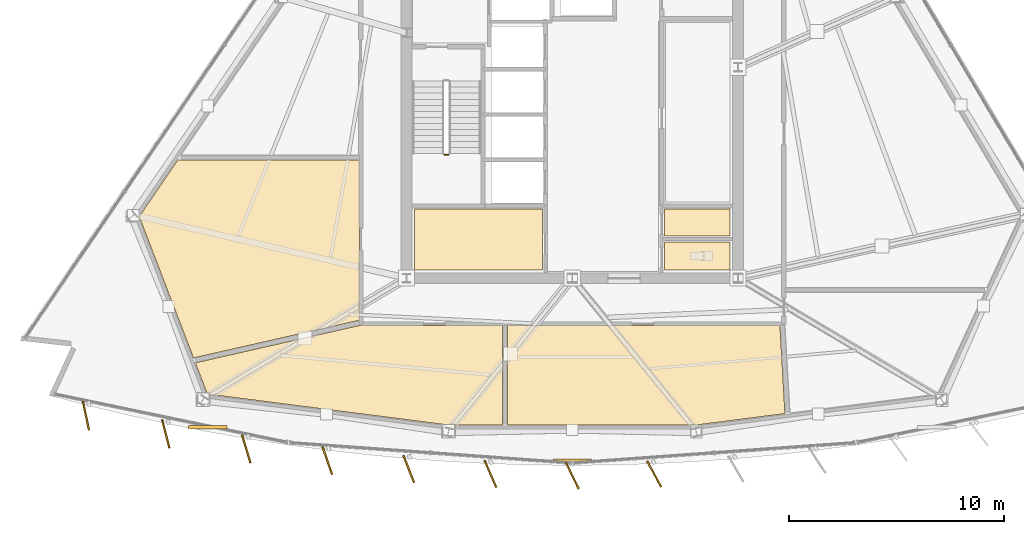
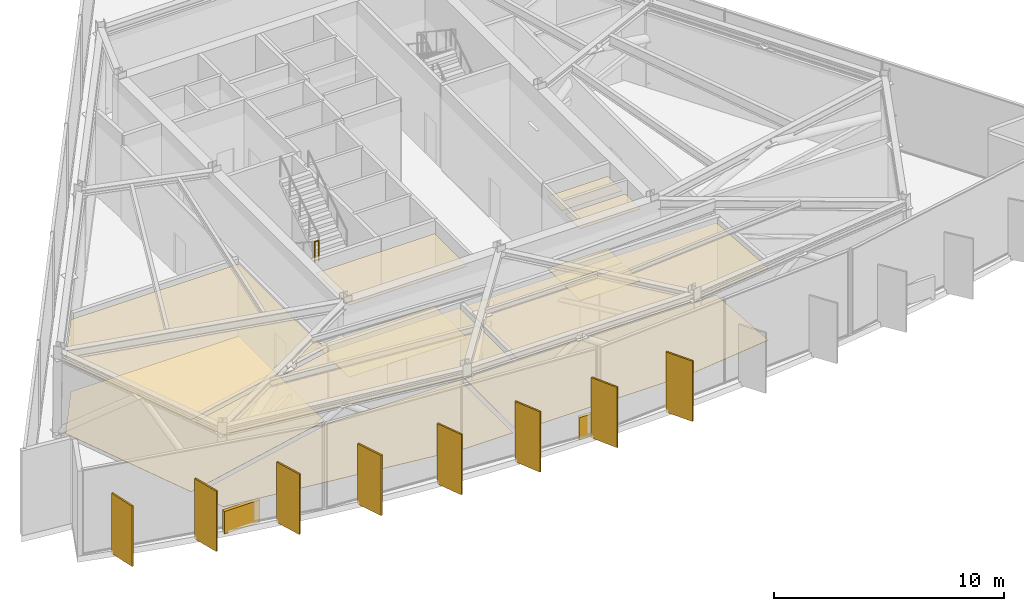
# One storey, part 11 of 14: 12 coverings, 10 shading devices, 1 railing.
"""IFC4 building model written with IfcOpenShell, lengths in metres."""

from ifc_helpers import new_model, si_unit, direction, frame, origin, origin_2d, place, context, subcontext, project, spatial, polyline, rectangle, circle, outline, extrude, material, layer, layer_set, type_object, element, save


model = new_model("IFC4")

# Units and contexts
model_context = context("Model", 3, precision=1e-05, world=origin(), true_north=direction((0.0, 1.0)))
body_context = subcontext(model_context, "Body", "Model", "MODEL_VIEW")
ifc_project = project(units=[si_unit("LENGTHUNIT", "METRE"), si_unit("AREAUNIT", "SQUARE_METRE"), si_unit("VOLUMEUNIT", "CUBIC_METRE"), si_unit("PLANEANGLEUNIT", "RADIAN"), si_unit("MASSUNIT", "GRAM", prefix="KILO")], contexts=[model_context])

# Site, building, storey
site_placement = place(None, origin())
site = spatial("IfcSite", under=ifc_project, at=site_placement, CompositionType="ELEMENT")
building_placement = place(site_placement, origin())
building = spatial("IfcBuilding", under=site, at=building_placement, Name="Savorim Split Tower", CompositionType="ELEMENT")
storey_placement = place(building_placement, frame((0.0, 0.0, 185.39990234375)))
storey = spatial("IfcBuildingStorey", under=building, at=storey_placement, Name="L49", CompositionType="ELEMENT", Elevation=185.39990234375)

# Coverings
ifc_material_1 = material(Name="Mineral Fibre Acoustic Ceiling")
ifc_layer_1 = layer(ifc_material_1, 0.02490234375)
ifc_layer_set_1 = layer_set([ifc_layer_1], Name="COV-CEIL-25")
covering_type_1 = type_object("IfcCoveringType", Name="COV-CEIL-25", PredefinedType="CEILING", material=ifc_layer_set_1)
covering_1_placement = place(storey_placement, frame((0.0, 0.0, 3.820068359375)))
element("IfcCovering", 1, at=covering_1_placement, inside=storey, type_object=covering_type_1, Name="L49 Pressurisation Plant Room Acoustic Ceiling", PredefinedType="CEILING", context=body_context, shape_type="SweptSolid", body=[
    extrude(outline(polyline([(-7.320068359375, -6.179931640625), (-7.320068359375, -9.02001953125), (-1.3798828125, -9.02001953125), (-1.3798828125, -6.179931640625), (-7.320068359375, -6.179931640625)])), origin(), (0.0, 0.0, 1.0), 0.025146484375),
])
covering_2_placement = place(storey_placement, frame((0.0, 0.0, 3.820068359375)))
element("IfcCovering", 2, at=covering_2_placement, inside=storey, type_object=covering_type_1, Name="L49 Accessible WC Acoustic Ceiling", PredefinedType="CEILING", context=body_context, shape_type="SweptSolid", body=[
    extrude(outline(polyline([(4.280029296875, -7.719970703125), (4.280029296875, -9.02001953125), (7.320068359375, -9.02001953125), (7.320068359375, -7.719970703125), (4.280029296875, -7.719970703125)])), origin(), (0.0, 0.0, 1.0), 0.025146484375),
])
covering_3_placement = place(storey_placement, frame((0.0, 0.0, 3.820068359375)))
element("IfcCovering", 3, at=covering_3_placement, inside=storey, type_object=covering_type_1, Name="L49 Emergency BMS Plant Room Acoustic Ceiling", PredefinedType="CEILING", context=body_context, shape_type="SweptSolid", body=[
    extrude(outline(polyline([(4.280029296875, -6.179931640625), (4.280029296875, -7.43994140625), (7.320068359375, -7.43994140625), (7.320068359375, -6.179931640625), (4.280029296875, -6.179931640625)])), origin(), (0.0, 0.0, 1.0), 0.025146484375),
])
covering_4_placement = place(storey_placement, frame((0.0, 0.0, 3.820068359375)))
element("IfcCovering", 4, at=covering_4_placement, inside=storey, type_object=covering_type_1, Name="L49 Refuge Area West Acoustic Ceiling", PredefinedType="CEILING", context=body_context, shape_type="SweptSolid", body=[
    extrude(outline(polyline([(-18.3046875, -3.9130859375), (-18.3046875, -3.880615234375), (-20.116455078125, -6.543701171875), (-17.595947265625, -13.107421875), (-9.913818359375, -11.3603515625), (-9.889892578125, -11.35498046875), (-9.889892578125, -3.9130859375), (-18.184814453125, -3.9130859375), (-18.3046875, -3.9130859375)])), origin(), (0.0, 0.0, 1.0), 0.025146484375),
])
covering_5_placement = place(storey_placement, frame((0.0, 0.0, 3.820068359375)))
element("IfcCovering", 5, at=covering_5_placement, inside=storey, type_object=covering_type_1, Name="L49 Chiller Plant Room 1 Acoustic Ceiling", PredefinedType="CEILING", context=body_context, shape_type="SweptSolid", body=[
    extrude(outline(polyline([(-17.509033203125, -13.333740234375), (-16.951904296875, -14.784423828125), (-5.731201171875, -16.22509765625), (-3.24755859375, -16.22509765625), (-3.24755859375, -11.590087890625), (-9.75, -11.590087890625), (-9.763671875, -11.58935546875), (-9.77734375, -11.58740234375), (-9.79052734375, -11.583984375), (-9.800048828125, -11.58056640625), (-17.4765625, -13.326416015625), (-17.509033203125, -13.333740234375)])), origin(), (0.0, 0.0, 1.0), 0.025146484375),
])
covering_6_placement = place(storey_placement, frame((0.0, 0.0, 3.820068359375)))
element("IfcCovering", 6, at=covering_6_placement, inside=storey, type_object=covering_type_1, Name="L49 Refuge Area North-West Acoustic Ceiling", PredefinedType="CEILING", context=body_context, shape_type="SweptSolid", body=[
    extrude(outline(polyline([(-3.007568359375, -16.175048828125), (-3.007568359375, -16.22509765625), (5.731201171875, -16.22509765625), (9.877685546875, -15.692626953125), (9.643798828125, -11.595703125), (9.6435546875, -11.590087890625), (-3.007568359375, -11.590087890625), (-3.007568359375, -16.175048828125)])), origin(), (0.0, 0.0, 1.0), 0.025146484375),
])
ifc_material_2 = material(Name="Porcelain Stoneware Flooring", Category="masonry")
ifc_layer_2 = layer(ifc_material_2, 0.02001953125)
ifc_layer_set_2 = layer_set([ifc_layer_2], Name="COV-FLOR-20")
covering_type_2 = type_object("IfcCoveringType", Name="COV-FLOR-20", PredefinedType="FLOORING", material=ifc_layer_set_2)
covering_7_placement = place(storey_placement, origin())
element("IfcCovering", 7, at=covering_7_placement, inside=storey, type_object=covering_type_2, Name="L49 Pressurisation Plant Room Porcelain Flooring", PredefinedType="FLOORING", context=body_context, shape_type="SweptSolid", body=[
    extrude(outline(polyline([(-7.320068359375, -6.179931640625), (-7.320068359375, -9.02001953125), (-1.3798828125, -9.02001953125), (-1.3798828125, -6.179931640625), (-7.320068359375, -6.179931640625)])), origin(), (0.0, 0.0, 1.0), 0.02001953125),
])
covering_8_placement = place(storey_placement, origin())
element("IfcCovering", 8, at=covering_8_placement, inside=storey, type_object=covering_type_2, Name="L49 Accessible WC Porcelain Flooring", PredefinedType="FLOORING", context=body_context, shape_type="SweptSolid", body=[
    extrude(outline(polyline([(4.280029296875, -7.719970703125), (4.280029296875, -9.02001953125), (7.320068359375, -9.02001953125), (7.320068359375, -7.719970703125), (4.280029296875, -7.719970703125)])), origin(), (0.0, 0.0, 1.0), 0.02001953125),
])
covering_9_placement = place(storey_placement, origin())
element("IfcCovering", 9, at=covering_9_placement, inside=storey, type_object=covering_type_2, Name="L49 Emergency BMS Plant Room Porcelain Flooring", PredefinedType="FLOORING", context=body_context, shape_type="SweptSolid", body=[
    extrude(outline(polyline([(4.280029296875, -6.179931640625), (4.280029296875, -7.43994140625), (7.320068359375, -7.43994140625), (7.320068359375, -6.179931640625), (4.280029296875, -6.179931640625)])), origin(), (0.0, 0.0, 1.0), 0.02001953125),
])
covering_10_placement = place(storey_placement, origin())
element("IfcCovering", 10, at=covering_10_placement, inside=storey, type_object=covering_type_2, Name="L49 Refuge Area West Porcelain Flooring", PredefinedType="FLOORING", context=body_context, shape_type="SweptSolid", body=[
    extrude(outline(polyline([(-18.3046875, -3.9130859375), (-18.3046875, -3.880615234375), (-20.116455078125, -6.543701171875), (-17.595947265625, -13.107421875), (-9.913818359375, -11.3603515625), (-9.889892578125, -11.35498046875), (-9.889892578125, -3.9130859375), (-18.184814453125, -3.9130859375), (-18.3046875, -3.9130859375)])), origin(), (0.0, 0.0, 1.0), 0.02001953125),
])
covering_11_placement = place(storey_placement, origin())
element("IfcCovering", 11, at=covering_11_placement, inside=storey, type_object=covering_type_2, Name="L49 Chiller Plant Room 1 Porcelain Flooring", PredefinedType="FLOORING", context=body_context, shape_type="SweptSolid", body=[
    extrude(outline(polyline([(-17.509033203125, -13.333740234375), (-16.951904296875, -14.784423828125), (-5.731201171875, -16.22509765625), (-3.24755859375, -16.22509765625), (-3.24755859375, -11.590087890625), (-9.75, -11.590087890625), (-9.763671875, -11.58935546875), (-9.77734375, -11.58740234375), (-9.79052734375, -11.583984375), (-9.800048828125, -11.58056640625), (-17.4765625, -13.326416015625), (-17.509033203125, -13.333740234375)])), origin(), (0.0, 0.0, 1.0), 0.02001953125),
])
covering_12_placement = place(storey_placement, origin())
element("IfcCovering", 12, at=covering_12_placement, inside=storey, type_object=covering_type_2, Name="L49 Refuge Area North-West Porcelain Flooring", PredefinedType="FLOORING", context=body_context, shape_type="SweptSolid", body=[
    extrude(outline(polyline([(-3.007568359375, -16.175048828125), (-3.007568359375, -16.22509765625), (5.731201171875, -16.22509765625), (9.877685546875, -15.692626953125), (9.643798828125, -11.595703125), (9.6435546875, -11.590087890625), (-3.007568359375, -11.590087890625), (-3.007568359375, -16.175048828125)])), origin(), (0.0, 0.0, 1.0), 0.02001953125),
])

# Railing
ifc_material_3 = material(Name="Galvanised Painted Steel Balustrade", Category="steel")
railing_type = type_object("IfcRailingType", Name="RLG-STG-1100", PredefinedType="BALUSTRADE", material=ifc_material_3)
railing_placement = place(storey_placement, frame((-5.949951171875, -3.659912109375, 2.400146484375)))
element("IfcRailing", 13, at=railing_placement, inside=storey, type_object=railing_type, Name="L49 ST-1 stair guard 2", PredefinedType="BALUSTRADE", context=body_context, shape_type="SweptSolid", body=[
    extrude(circle(Radius=0.02392578125, at=origin_2d()), frame((0.0, 0.0, 1.076171875), z_axis=(1.0, 0.0, 0.0), x_axis=(0.0, 1.0, 0.0)), (0.0, 0.0, 1.0), 0.199951171875),
    extrude(circle(Radius=0.02099609375, at=origin_2d()), origin(), (0.0, 0.0, 1.0), 1.052001953125),
    extrude(circle(Radius=0.02099609375, at=origin_2d()), frame((0.199951171875, 0.0, 0.0)), (0.0, 0.0, 1.0), 1.052001953125),
])

# Shading devices
ifc_material_4 = material(Name="Terracotta Ceramic-Coated Aluminium Fin", Category="masonry")
shading_device_type_1 = type_object("IfcShadingDeviceType", Name="SHD-FIN-1360", PredefinedType="USERDEFINED", material=ifc_material_4)
for number, where, z_axis, x_axis, name in (
    (14, (-22.595458984375, -15.7900390625, -0.19970703125), (0.0, 0.0, 1.0), (0.206721626106, -0.978399800337, 0.0), "L49 Sawtooth Shading Fin 01"),
    (15, (-18.8876953125, -16.63916015625, -0.19970703125), (0.0, 0.0, 1.0), (0.246581250663, -0.969122121727, 0.0), "L49 Sawtooth Shading Fin 02"),
    (16, (-15.148193359375, -17.335693359375, -0.19970703125), (0.0, 0.0, 1.0), (0.286026212504, -0.958221793616, 0.0), "L49 Sawtooth Shading Fin 03"),
    (17, (-11.38330078125, -17.878662109375, -0.19970703125), (0.0, 0.0, 1.0), (0.324993810493, -0.945716143005, 0.0), "L49 Sawtooth Shading Fin 04"),
    (18, (-7.599609375, -18.26708984375, -0.19970703125), (0.0, 0.0, 1.0), (0.363415461732, -0.931627179817, 0.0), "L49 Sawtooth Shading Fin 05"),
    (19, (-3.802978515625, -18.50048828125, -0.19970703125), (0.0, 0.0, 1.0), (0.401230091723, -0.915977299662, 0.0), "L49 Sawtooth Shading Fin 06"),
    (20, (0.0, -18.578369140625, -0.19970703125), (0.0, 0.0, 1.0), (0.438371146789, -0.898794046299, 0.0), "L49 Sawtooth Shading Fin 07"),
    (21, (3.802978515625, -18.50048828125, -0.19970703125), (0.0, 0.0, 1.0), (0.474778051978, -0.880105562623, 0.0), "L49 Sawtooth Shading Fin 08"),
):
    element("IfcShadingDevice", number, at=place(storey_placement, frame(where, z_axis=z_axis, x_axis=x_axis)), inside=storey, type_object=shading_device_type_1, Name=name, ObjectType="FIN", PredefinedType="USERDEFINED", context=body_context, shape_type="SweptSolid", body=[
        extrude(rectangle(XDim=1.360107421875, YDim=0.080078125, at=origin_2d()), origin(), (0.0, 0.0, 1.0), 3.199951171875),
    ])
ifc_material_5 = material(Name="Charcoal Anodised Aluminium", Category="aluminium")
shading_device_type_2 = type_object("IfcShadingDeviceType", Name="SHD-LVR-1800", PredefinedType="USERDEFINED", material=ifc_material_5)
for number, where, z_axis, x_axis, name in (
    (22, (-16.934326171875, -16.318603515625, -0.14990234375), (0.0, 0.0, 1.0), (1.0, 0.0, 0.0), "L49 Plant Acoustic Louvre 1"),
    (23, (0.0, -17.88232421875, -0.14990234375), (0.0, 0.0, 1.0), (1.0, 0.0, 0.0), "L49 Plant Acoustic Louvre 2"),
):
    element("IfcShadingDevice", number, at=place(storey_placement, frame(where, z_axis=z_axis, x_axis=x_axis)), inside=storey, type_object=shading_device_type_2, Name=name, ObjectType="LOUVRE", PredefinedType="USERDEFINED", context=body_context, shape_type="SweptSolid", body=[
        extrude(rectangle(XDim=1.800048828125, YDim=0.159912109375, at=origin_2d()), origin(), (0.0, 0.0, 1.0), 1.199951171875),
    ])

save(model, "model.ifc")
